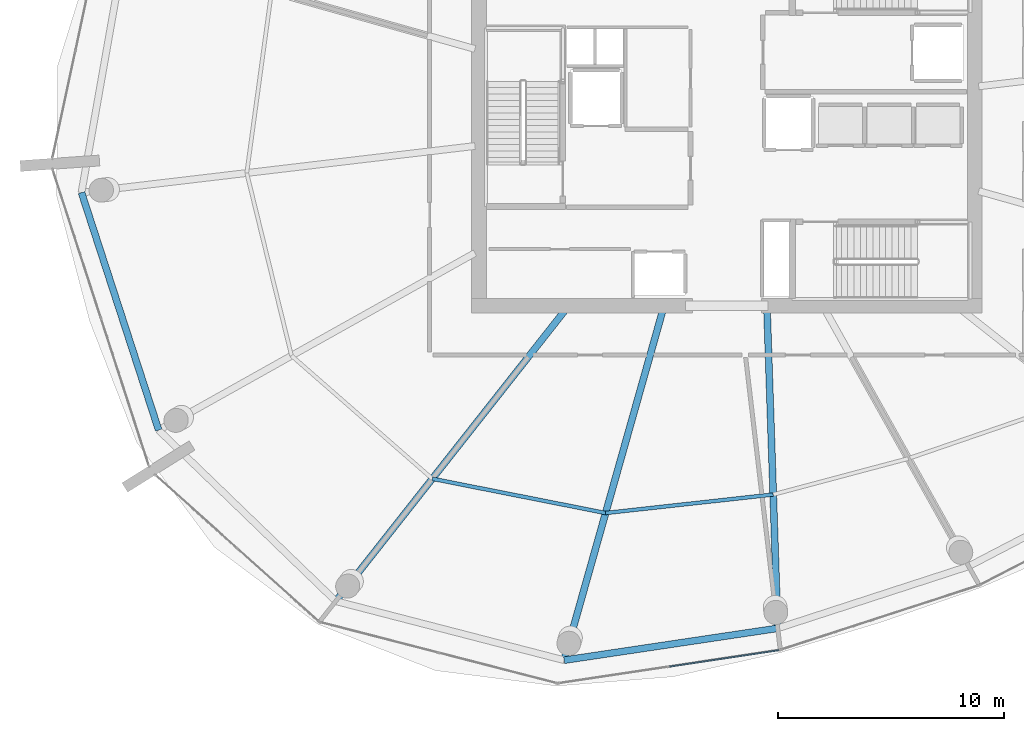
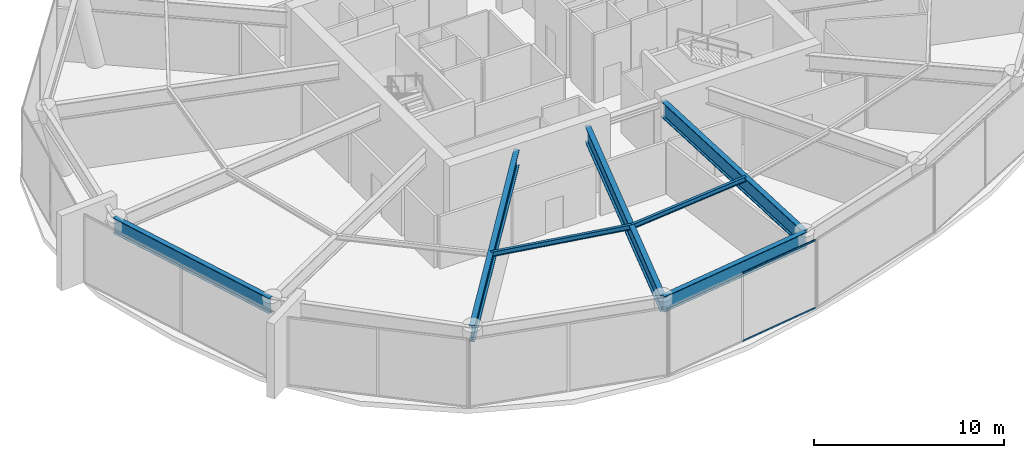
# One storey, part 6 of 22: 7 beams, 2 members, 1 element without a shape of its own.
"""IFC4 building model written with IfcOpenShell, lengths in metres."""

from ifc_helpers import new_model, si_unit, direction, frame, origin, origin_2d, place, context, subcontext, project, spatial, rectangle, i_section, extrude, material, layer, layer_set, material_profile, profile_set, type_object, element, aggregate, save


model = new_model("IFC4")

# Units and contexts
model_context = context("Model", 3, precision=1e-05, world=origin(), true_north=direction((0.0, 1.0)))
body_context = subcontext(model_context, "Body", "Model", "MODEL_VIEW")
ifc_project = project(units=[si_unit("LENGTHUNIT", "METRE"), si_unit("AREAUNIT", "SQUARE_METRE"), si_unit("VOLUMEUNIT", "CUBIC_METRE"), si_unit("PLANEANGLEUNIT", "RADIAN"), si_unit("MASSUNIT", "GRAM", prefix="KILO")], contexts=[model_context])

# Site, building, storey
site_placement = place(None, origin())
site = spatial("IfcSite", under=ifc_project, at=site_placement, CompositionType="ELEMENT")
building_placement = place(site_placement, origin())
building = spatial("IfcBuilding", under=site, at=building_placement, Name="Kazma Halo Residences", CompositionType="ELEMENT")
storey_placement = place(building_placement, frame((0.0, 0.0, 231.89990234375)))
storey = spatial("IfcBuildingStorey", under=building, at=storey_placement, Name="L58", CompositionType="ELEMENT", Elevation=231.89990234375)

# Beams
ifc_material_1 = material(Name="Steel S355", Category="steel")
ifc_material_profile_1 = material_profile(ifc_material_1, i_section(OverallWidth=0.1650390625, OverallDepth=0.31005859375, WebThickness=0.005859375, FlangeThickness=0.009765625, FilletRadius=0.011962890625, at=origin_2d()), Name="W310x38.7")
ifc_profile_set_1 = profile_set([ifc_material_profile_1], Name="Steel S355")
beam_type_1 = type_object("IfcBeamType", Name="BM-SEC-W310B", PredefinedType="JOIST", material=ifc_profile_set_1)
beam_1_placement = place(storey_placement, frame((35.414306640625, 26.03515625, 4.2451171875), z_axis=(0.98102450123, -0.193883800218, 0.0), x_axis=(0.193883800218, 0.98102450123, 0.0)))
element("IfcBeam", 1, at=beam_1_placement, inside=storey, type_object=beam_type_1, Name="L58 circumferential floor joist 10", PredefinedType="JOIST", context=body_context, shape_type="SweptSolid", body=[
    extrude(i_section(OverallWidth=0.1650390625, OverallDepth=0.31005859375, WebThickness=0.005859375, FlangeThickness=0.009765625, FilletRadius=0.011962890625, at=origin_2d()), origin(), (0.0, 0.0, 1.0), 7.8046875),
])
beam_2_placement = place(storey_placement, frame((43.07080078125, 24.52197265625, 4.2451171875), z_axis=(0.993966208781, 0.109686716618, 0.0), x_axis=(-0.109686716618, 0.993966208781, 0.0)))
element("IfcBeam", 2, at=beam_2_placement, inside=storey, type_object=beam_type_1, Name="L58 circumferential floor joist 11", PredefinedType="JOIST", context=body_context, shape_type="SweptSolid", body=[
    extrude(i_section(OverallWidth=0.1650390625, OverallDepth=0.31005859375, WebThickness=0.005859375, FlangeThickness=0.009765625, FilletRadius=0.011962890625, at=origin_2d()), origin(), (0.0, 0.0, 1.0), 7.447509765625),
])
ifc_material_profile_2 = material_profile(ifc_material_1, i_section(OverallWidth=0.302001953125, OverallDepth=1.01806640625, WebThickness=0.021484375, FlangeThickness=0.049072265625, FilletRadius=0.028076171875, at=origin_2d()), Name="W1000x443")
ifc_profile_set_2 = profile_set([ifc_material_profile_2], Name="Steel S355")
beam_type_2 = type_object("IfcBeamType", Name="BM-TRANS-W1000A", PredefinedType="BEAM", material=ifc_profile_set_2)
beam_3_placement = place(storey_placement, frame((41.299072265625, 33.5, 3.89111328125), z_axis=(-0.619089170555, -0.785320698124, 0.0), x_axis=(0.785320698124, -0.619089170555, 0.0)))
element("IfcBeam", 3, at=beam_3_placement, inside=storey, type_object=beam_type_2, Name="L58 podium radial transfer girder 10", PredefinedType="BEAM", context=body_context, shape_type="SweptSolid", body=[
    extrude(i_section(OverallWidth=0.302001953125, OverallDepth=1.01806640625, WebThickness=0.021484375, FlangeThickness=0.049072265625, FilletRadius=0.028076171875, at=origin_2d()), origin(), (0.0, 0.0, 1.0), 16.388916015625),
])
beam_4_placement = place(storey_placement, frame((45.602783203125, 33.5, 3.89111328125), z_axis=(-0.271443580085, -0.962454353635, 0.0), x_axis=(0.962454353635, -0.271443580085, 0.0)))
element("IfcBeam", 4, at=beam_4_placement, inside=storey, type_object=beam_type_2, Name="L58 podium radial transfer girder 11", PredefinedType="BEAM", context=body_context, shape_type="SweptSolid", body=[
    extrude(i_section(OverallWidth=0.302001953125, OverallDepth=1.01806640625, WebThickness=0.021484375, FlangeThickness=0.049072265625, FilletRadius=0.028076171875, at=origin_2d()), origin(), (0.0, 0.0, 1.0), 16.083251953125),
])
beam_5_placement = place(storey_placement, frame((50.199951171875, 33.5, 3.89111328125), z_axis=(0.033485739083, -0.999439195388, 0.0), x_axis=(0.999439195388, 0.033485739083, 0.0)))
element("IfcBeam", 5, at=beam_5_placement, inside=storey, type_object=beam_type_2, Name="L58 podium radial transfer girder 12", PredefinedType="BEAM", context=body_context, shape_type="SweptSolid", body=[
    extrude(i_section(OverallWidth=0.302001953125, OverallDepth=1.01806640625, WebThickness=0.021484375, FlangeThickness=0.049072265625, FilletRadius=0.028076171875, at=origin_2d()), origin(), (0.0, 0.0, 1.0), 14.07861328125),
])
ifc_material_profile_3 = material_profile(ifc_material_1, i_section(OverallWidth=0.300048828125, OverallDepth=1.0, WebThickness=0.01904296875, FlangeThickness=0.0400390625, FilletRadius=0.02587890625, at=origin_2d()), Name="W1000x371")
ifc_profile_set_3 = profile_set([ifc_material_profile_3], Name="Steel S355")
beam_type_3 = type_object("IfcBeamType", Name="BM-TRANS-W1000B", PredefinedType="BEAM", material=ifc_profile_set_3)
beam_6_placement = place(storey_placement, frame((19.92041015625, 38.676513671875, 3.900146484375), z_axis=(0.309015517474, -0.951056996168, 0.0), x_axis=(0.951056996168, 0.309015517474, 0.0)))
element("IfcBeam", 6, at=beam_6_placement, inside=storey, type_object=beam_type_3, Name="L58 perimeter ring beam 08", PredefinedType="BEAM", context=body_context, shape_type="SweptSolid", body=[
    extrude(i_section(OverallWidth=0.300048828125, OverallDepth=1.0, WebThickness=0.01904296875, FlangeThickness=0.0400390625, FilletRadius=0.02587890625, at=origin_2d()), origin(), (0.0, 0.0, 1.0), 11.032470703125),
])
beam_7_placement = place(storey_placement, frame((41.237060546875, 18.0205078125, 3.900146484375), z_axis=(0.989035441627, 0.147678350495, 0.0), x_axis=(-0.147678350495, 0.989035441627, 0.0)))
element("IfcBeam", 7, at=beam_7_placement, inside=storey, type_object=beam_type_3, Name="L58 perimeter ring beam 11", PredefinedType="BEAM", context=body_context, shape_type="SweptSolid", body=[
    extrude(i_section(OverallWidth=0.300048828125, OverallDepth=1.0, WebThickness=0.01904296875, FlangeThickness=0.0400390625, FilletRadius=0.02587890625, at=origin_2d()), origin(), (0.0, 0.0, 1.0), 9.538818359375),
])

# Curtain wall, members
ifc_material_2 = material(Name="Aluminium AW-6063 T6 and Triple-Silver Low-E Glass", Category="aluminium")
ifc_layer = layer(ifc_material_2, 0.139892578125)
ifc_layer_set = layer_set([ifc_layer], Name="Aluminium AW-6063 T6 and Triple-Silver Low-E Glass")
curtain_wall_type = type_object("IfcCurtainWallType", Name="CW-SYS-5", PredefinedType="NOTDEFINED", material=ifc_layer_set)
curtain_wall_placement = place(storey_placement, origin())
curtain_wall = element("IfcCurtainWall", 8, at=curtain_wall_placement, inside=storey, type_object=curtain_wall_type, Name="L58 unitised curtain wall B11", PredefinedType="NOTDEFINED")
ifc_material_3 = material(Name="Aluminium AW-6063 T6", Category="aluminium")
ifc_material_profile_4 = material_profile(ifc_material_3, rectangle(XDim=0.06005859375, YDim=0.10498046875, at=origin_2d()), Name="CWT-60x105")
ifc_profile_set_4 = profile_set([ifc_material_profile_4], Name="Aluminium AW-6063 T6")
member_type = type_object("IfcMemberType", Name="CW-SYS-5-TRN", PredefinedType="USERDEFINED", material=ifc_profile_set_4)
member_1_placement = place(storey_placement, frame((45.895751953125, 17.73876953125, 0.030029296875), z_axis=(0.988878708904, 0.14872423836, 0.0), x_axis=(-0.14872423836, 0.988878708904, 0.0)))
member_1 = element("IfcMember", 9, at=member_1_placement, type_object=member_type, Name="CWS-5 transom 2.1", ObjectType="TRANSOM", PredefinedType="USERDEFINED", context=body_context, shape_type="SweptSolid", body=[
    extrude(rectangle(XDim=0.06005859375, YDim=0.10498046875, at=origin_2d()), origin(), (0.0, 0.0, 1.0), 4.883544921875),
])
member_2_placement = place(storey_placement, frame((45.895751953125, 17.73876953125, 4.3701171875), z_axis=(0.988878708904, 0.14872423836, 0.0), x_axis=(-0.14872423836, 0.988878708904, 0.0)))
member_2 = element("IfcMember", 10, at=member_2_placement, type_object=member_type, Name="CWS-5 transom 2.2", ObjectType="TRANSOM", PredefinedType="USERDEFINED", context=body_context, shape_type="SweptSolid", body=[
    extrude(rectangle(XDim=0.06005859375, YDim=0.10498046875, at=origin_2d()), origin(), (0.0, 0.0, 1.0), 4.883544921875),
])
aggregate(curtain_wall, [member_1, member_2])

save(model, "model.ifc")
